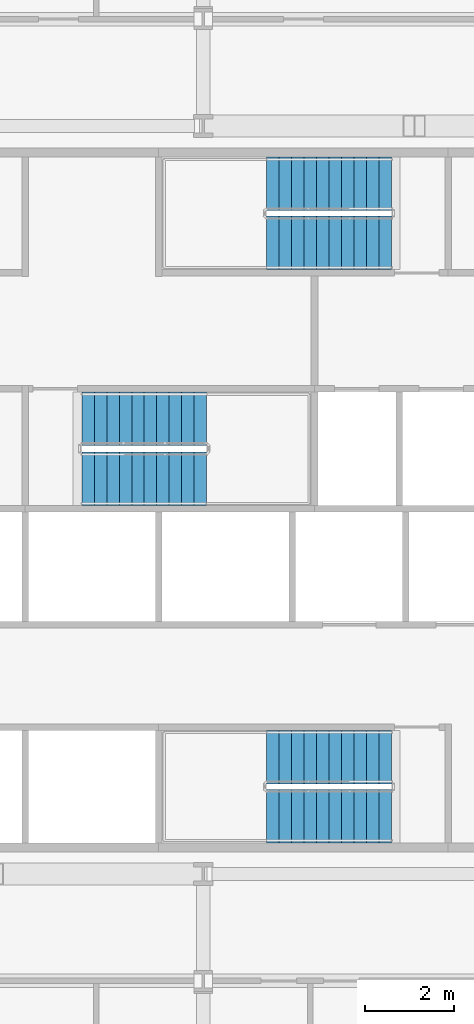
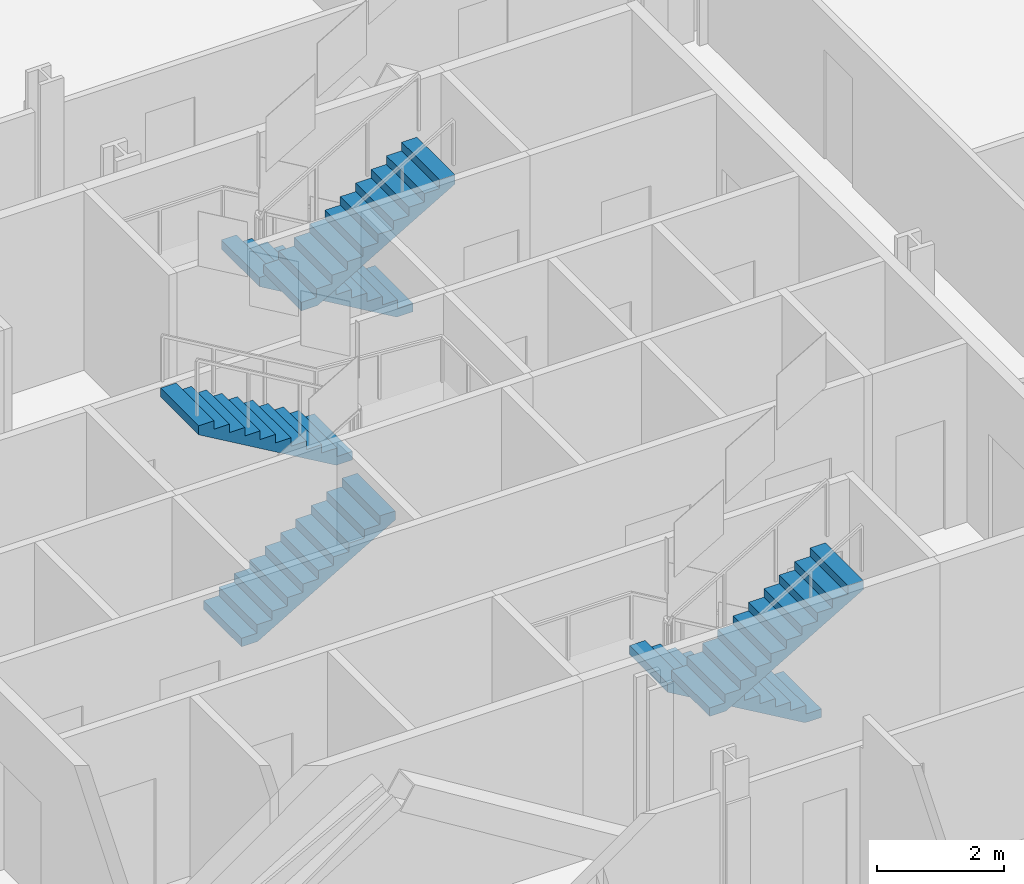
# One storey, part 13 of 20: 6 stair flights, 3 elements without a shape of their own.
"""IFC4 building model written with IfcOpenShell, lengths in metres."""

from ifc_helpers import new_model, si_unit, direction, frame, origin, place, context, subcontext, project, spatial, polyline, outline, extrude, material, type_object, element, aggregate, save


model = new_model("IFC4")

# Units and contexts
model_context = context("Model", 3, precision=1e-05, world=origin(), true_north=direction((0.0, 1.0)))
body_context = subcontext(model_context, "Body", "Model", "MODEL_VIEW")
ifc_project = project(units=[si_unit("LENGTHUNIT", "METRE"), si_unit("AREAUNIT", "SQUARE_METRE"), si_unit("VOLUMEUNIT", "CUBIC_METRE"), si_unit("PLANEANGLEUNIT", "RADIAN"), si_unit("MASSUNIT", "GRAM", prefix="KILO")], contexts=[model_context])

# Site, building, storey
site_placement = place(None, origin())
site = spatial("IfcSite", under=ifc_project, at=site_placement, CompositionType="ELEMENT")
building_placement = place(site_placement, origin())
building = spatial("IfcBuilding", under=site, at=building_placement, Name="Cairn Pilgrim Tower", CompositionType="ELEMENT")
storey_placement = place(building_placement, frame((0.0, 0.0, 87.0)))
storey = spatial("IfcBuildingStorey", under=building, at=storey_placement, Name="L20", CompositionType="ELEMENT", Elevation=87.0)

# Stair, stair flights
ifc_material = material(Name="Concrete C32/40", Category="concrete")
stair_type = type_object("IfcStairType", Name="EXIT STAIR 1200", PredefinedType="HALF_TURN_STAIR", material=ifc_material)
stair_1_placement = place(storey_placement, origin())
stair_1 = element("IfcStair", 1, at=stair_1_placement, inside=storey, type_object=stair_type, Name="L20 Exit Stair A", PredefinedType="HALF_TURN_STAIR")
stair_flight_type = type_object("IfcStairFlightType", Name="STAIR FLIGHT 1200", PredefinedType="STRAIGHT", material=ifc_material)
stair_flight_1_placement = place(storey_placement, frame((11.425048828125, -3.375, 0.0), z_axis=(0.0, 0.0, 1.0), x_axis=(-1.0, 0.0, 0.0)))
stair_flight_1 = element("IfcStairFlight", 2, at=stair_flight_1_placement, type_object=stair_flight_type, Name="ST-A flight 1", NumberOfRisers=11, NumberOfTreads=10, PredefinedType="STRAIGHT", RiserHeight=0.163636364, TreadLength=0.28, context=body_context, shape_type="SweptSolid", body=[
    extrude(outline(polyline([(0.0, 0.0), (0.0, 0.16357421875), (0.280029296875, 0.16357421875), (0.280029296875, 0.327392578125), (0.56005859375, 0.327392578125), (0.56005859375, 0.490966796875), (0.840087890625, 0.490966796875), (0.840087890625, 0.654541015625), (1.1201171875, 0.654541015625), (1.1201171875, 0.818115234375), (1.39990234375, 0.818115234375), (1.39990234375, 0.98193359375), (1.679931640625, 0.98193359375), (1.679931640625, 1.1455078125), (1.9599609375, 1.1455078125), (1.9599609375, 1.30908203125), (2.239990234375, 1.30908203125), (2.239990234375, 1.47265625), (2.52001953125, 1.47265625), (2.52001953125, 1.636474609375), (2.800048828125, 1.636474609375), (2.800048828125, 1.800048828125), (2.800048828125, 1.462646484375), (0.297119140625, 0.0), (0.0, 0.0)])), frame((0.0, 0.60009765625, 0.0), z_axis=(0.0, -1.0, 0.0), x_axis=(1.0, 0.0, 0.0)), (0.0, 0.0, 1.0), 1.199951171875),
])
stair_flight_2_placement = place(storey_placement, frame((8.625, -4.699951171875, 1.800048828125), z_axis=(0.0, 0.0, 1.0), x_axis=(1.0, 0.0, 0.0)))
stair_flight_2 = element("IfcStairFlight", 3, at=stair_flight_2_placement, type_object=stair_flight_type, Name="ST-A flight 2", NumberOfRisers=11, NumberOfTreads=10, PredefinedType="STRAIGHT", RiserHeight=0.163636364, TreadLength=0.28, context=body_context, shape_type="SweptSolid", body=[
    extrude(outline(polyline([(0.0, 0.0), (0.0, 0.16357421875), (0.280029296875, 0.16357421875), (0.280029296875, 0.327392578125), (0.56005859375, 0.327392578125), (0.56005859375, 0.490966796875), (0.840087890625, 0.490966796875), (0.840087890625, 0.654541015625), (1.1201171875, 0.654541015625), (1.1201171875, 0.818115234375), (1.39990234375, 0.818115234375), (1.39990234375, 0.98193359375), (1.679931640625, 0.98193359375), (1.679931640625, 1.1455078125), (1.9599609375, 1.1455078125), (1.9599609375, 1.30908203125), (2.239990234375, 1.30908203125), (2.239990234375, 1.47265625), (2.52001953125, 1.47265625), (2.52001953125, 1.636474609375), (2.800048828125, 1.636474609375), (2.800048828125, 1.800048828125), (2.800048828125, 1.462646484375), (0.297119140625, 0.0), (0.0, 0.0)])), frame((0.0, 0.60009765625, 0.0), z_axis=(0.0, -1.0, 0.0), x_axis=(1.0, 0.0, 0.0)), (0.0, 0.0, 1.0), 1.199951171875),
])
aggregate(stair_1, [stair_flight_1, stair_flight_2])

stair_2_placement = place(storey_placement, origin())
stair_2 = element("IfcStair", 4, at=stair_2_placement, inside=storey, type_object=stair_type, Name="L20 Exit Stair B", PredefinedType="HALF_TURN_STAIR")
stair_flight_3_placement = place(storey_placement, frame((4.47509765625, 2.875, 0.0), z_axis=(0.0, 0.0, 1.0), x_axis=(1.0, 0.0, 0.0)))
stair_flight_3 = element("IfcStairFlight", 5, at=stair_flight_3_placement, type_object=stair_flight_type, Name="ST-B flight 1", NumberOfRisers=11, NumberOfTreads=10, PredefinedType="STRAIGHT", RiserHeight=0.163636364, TreadLength=0.28, context=body_context, shape_type="SweptSolid", body=[
    extrude(outline(polyline([(0.0, 0.0), (0.0, 0.16357421875), (0.280029296875, 0.16357421875), (0.280029296875, 0.327392578125), (0.56005859375, 0.327392578125), (0.56005859375, 0.490966796875), (0.840087890625, 0.490966796875), (0.840087890625, 0.654541015625), (1.1201171875, 0.654541015625), (1.1201171875, 0.818115234375), (1.39990234375, 0.818115234375), (1.39990234375, 0.98193359375), (1.679931640625, 0.98193359375), (1.679931640625, 1.1455078125), (1.9599609375, 1.1455078125), (1.9599609375, 1.30908203125), (2.239990234375, 1.30908203125), (2.239990234375, 1.47265625), (2.52001953125, 1.47265625), (2.52001953125, 1.636474609375), (2.800048828125, 1.636474609375), (2.800048828125, 1.800048828125), (2.800048828125, 1.462646484375), (0.297119140625, 0.0), (0.0, 0.0)])), frame((0.0, 0.60009765625, 0.0), z_axis=(0.0, -1.0, 0.0), x_axis=(1.0, 0.0, 0.0)), (0.0, 0.0, 1.0), 1.199951171875),
])
stair_flight_4_placement = place(storey_placement, frame((7.27490234375, 4.22509765625, 1.800048828125), z_axis=(0.0, 0.0, 1.0), x_axis=(-1.0, 0.0, 0.0)))
stair_flight_4 = element("IfcStairFlight", 6, at=stair_flight_4_placement, type_object=stair_flight_type, Name="ST-B flight 2", NumberOfRisers=11, NumberOfTreads=10, PredefinedType="STRAIGHT", RiserHeight=0.163636364, TreadLength=0.28, context=body_context, shape_type="SweptSolid", body=[
    extrude(outline(polyline([(0.0, 0.0), (0.0, 0.16357421875), (0.280029296875, 0.16357421875), (0.280029296875, 0.327392578125), (0.56005859375, 0.327392578125), (0.56005859375, 0.490966796875), (0.840087890625, 0.490966796875), (0.840087890625, 0.654541015625), (1.1201171875, 0.654541015625), (1.1201171875, 0.818115234375), (1.39990234375, 0.818115234375), (1.39990234375, 0.98193359375), (1.679931640625, 0.98193359375), (1.679931640625, 1.1455078125), (1.9599609375, 1.1455078125), (1.9599609375, 1.30908203125), (2.239990234375, 1.30908203125), (2.239990234375, 1.47265625), (2.52001953125, 1.47265625), (2.52001953125, 1.636474609375), (2.800048828125, 1.636474609375), (2.800048828125, 1.800048828125), (2.800048828125, 1.462646484375), (0.297119140625, 0.0), (0.0, 0.0)])), frame((0.0, 0.60009765625, 0.0), z_axis=(0.0, -1.0, 0.0), x_axis=(1.0, 0.0, 0.0)), (0.0, 0.0, 1.0), 1.199951171875),
])
aggregate(stair_2, [stair_flight_3, stair_flight_4])

stair_3_placement = place(storey_placement, origin())
stair_3 = element("IfcStair", 7, at=stair_3_placement, inside=storey, type_object=stair_type, Name="L20 Exit Stair C", PredefinedType="HALF_TURN_STAIR")
stair_flight_5_placement = place(storey_placement, frame((11.425048828125, 9.5, 0.0), z_axis=(0.0, 0.0, 1.0), x_axis=(-1.0, 0.0, 0.0)))
stair_flight_5 = element("IfcStairFlight", 8, at=stair_flight_5_placement, type_object=stair_flight_type, Name="ST-C flight 1", NumberOfRisers=11, NumberOfTreads=10, PredefinedType="STRAIGHT", RiserHeight=0.163636364, TreadLength=0.28, context=body_context, shape_type="SweptSolid", body=[
    extrude(outline(polyline([(0.0, 0.0), (0.0, 0.16357421875), (0.280029296875, 0.16357421875), (0.280029296875, 0.327392578125), (0.56005859375, 0.327392578125), (0.56005859375, 0.490966796875), (0.840087890625, 0.490966796875), (0.840087890625, 0.654541015625), (1.1201171875, 0.654541015625), (1.1201171875, 0.818115234375), (1.39990234375, 0.818115234375), (1.39990234375, 0.98193359375), (1.679931640625, 0.98193359375), (1.679931640625, 1.1455078125), (1.9599609375, 1.1455078125), (1.9599609375, 1.30908203125), (2.239990234375, 1.30908203125), (2.239990234375, 1.47265625), (2.52001953125, 1.47265625), (2.52001953125, 1.636474609375), (2.800048828125, 1.636474609375), (2.800048828125, 1.800048828125), (2.800048828125, 1.462646484375), (0.297119140625, 0.0), (0.0, 0.0)])), frame((0.0, 0.60009765625, 0.0), z_axis=(0.0, -1.0, 0.0), x_axis=(1.0, 0.0, 0.0)), (0.0, 0.0, 1.0), 1.199951171875),
])
stair_flight_6_placement = place(storey_placement, frame((8.625, 8.175048828125, 1.800048828125), z_axis=(0.0, 0.0, 1.0), x_axis=(1.0, 0.0, 0.0)))
stair_flight_6 = element("IfcStairFlight", 9, at=stair_flight_6_placement, type_object=stair_flight_type, Name="ST-C flight 2", NumberOfRisers=11, NumberOfTreads=10, PredefinedType="STRAIGHT", RiserHeight=0.163636364, TreadLength=0.28, context=body_context, shape_type="SweptSolid", body=[
    extrude(outline(polyline([(0.0, 0.0), (0.0, 0.16357421875), (0.280029296875, 0.16357421875), (0.280029296875, 0.327392578125), (0.56005859375, 0.327392578125), (0.56005859375, 0.490966796875), (0.840087890625, 0.490966796875), (0.840087890625, 0.654541015625), (1.1201171875, 0.654541015625), (1.1201171875, 0.818115234375), (1.39990234375, 0.818115234375), (1.39990234375, 0.98193359375), (1.679931640625, 0.98193359375), (1.679931640625, 1.1455078125), (1.9599609375, 1.1455078125), (1.9599609375, 1.30908203125), (2.239990234375, 1.30908203125), (2.239990234375, 1.47265625), (2.52001953125, 1.47265625), (2.52001953125, 1.636474609375), (2.800048828125, 1.636474609375), (2.800048828125, 1.800048828125), (2.800048828125, 1.462646484375), (0.297119140625, 0.0), (0.0, 0.0)])), frame((0.0, 0.60009765625, 0.0), z_axis=(0.0, -1.0, 0.0), x_axis=(1.0, 0.0, 0.0)), (0.0, 0.0, 1.0), 1.199951171875),
])
aggregate(stair_3, [stair_flight_5, stair_flight_6])

save(model, "model.ifc")
